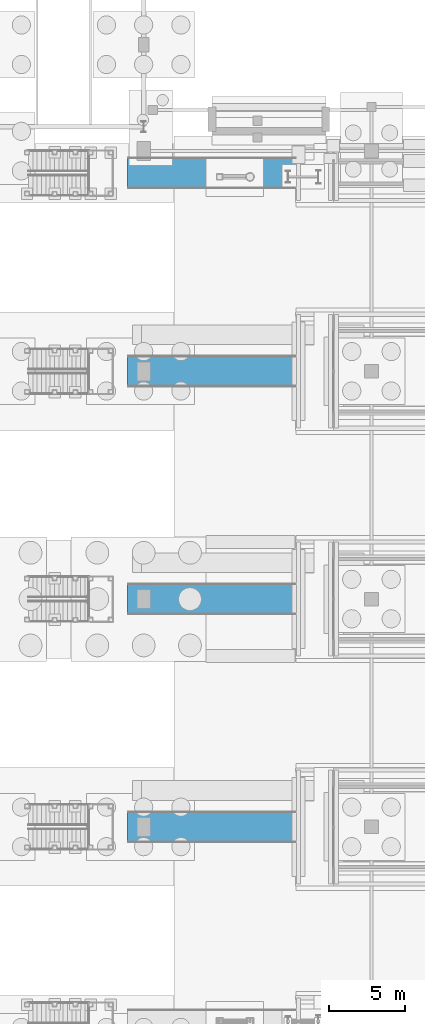
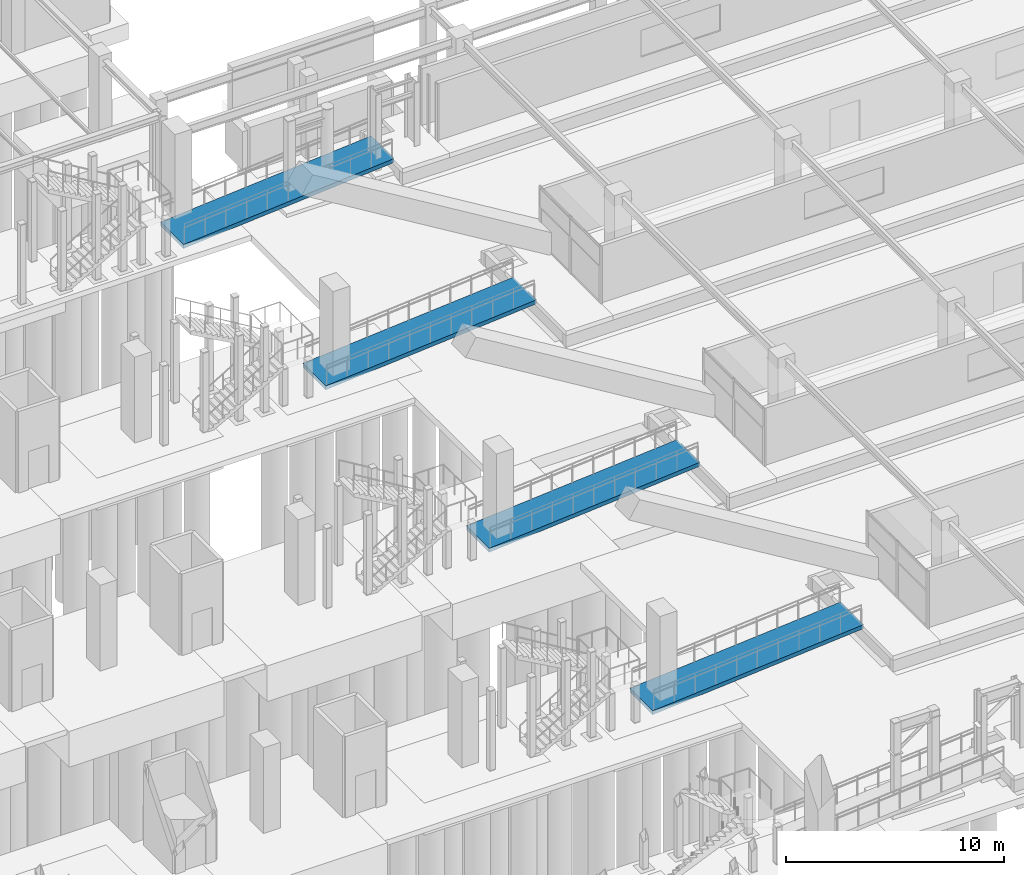
# One storey, part 116 of 160: 4 ramp flights, 4 elements without a shape of their own.
"""IFC4 building model written with IfcOpenShell, lengths in metres."""

from ifc_helpers import new_model, si_unit, direction, frame, origin, place, context, subcontext, project, spatial, polyline, outline, extrude, material, layer, layer_set, type_object, element, aggregate, save


model = new_model("IFC4")

# Units and contexts
model_context = context("Model", 3, precision=1e-05, world=origin(), true_north=direction((0.0, 1.0)))
body_context = subcontext(model_context, "Body", "Model", "MODEL_VIEW")
ifc_project = project(units=[si_unit("LENGTHUNIT", "METRE"), si_unit("AREAUNIT", "SQUARE_METRE"), si_unit("VOLUMEUNIT", "CUBIC_METRE"), si_unit("PLANEANGLEUNIT", "RADIAN"), si_unit("MASSUNIT", "GRAM", prefix="KILO")], contexts=[model_context])

# Site, building, storey
site_placement = place(None, origin())
site = spatial("IfcSite", under=ifc_project, at=site_placement, CompositionType="ELEMENT")
building_placement = place(site_placement, origin())
building = spatial("IfcBuilding", under=site, at=building_placement, Name="Marlcrest Central Station", CompositionType="ELEMENT")
storey_placement = place(building_placement, origin())
storey = spatial("IfcBuildingStorey", under=building, at=storey_placement, Name="L00", CompositionType="ELEMENT", Elevation=0.0)

# Ramp, ramp flight
ifc_material = material(Name="Concrete C35/45", Category="concrete")
ramp_type = type_object("IfcRampType", Name="RP-01", PredefinedType="STRAIGHT_RUN_RAMP", material=ifc_material)
ramp_1_placement = place(storey_placement, origin())
ramp_1 = element("IfcRamp", 1, at=ramp_1_placement, inside=storey, type_object=ramp_type, Name="RMP-P2E", PredefinedType="STRAIGHT_RUN_RAMP")
ifc_layer = layer(ifc_material, 0.219970703125, Name="RF-01")
ifc_layer_set = layer_set([ifc_layer], Name="Concrete C35/45")
ramp_flight_type = type_object("IfcRampFlightType", Name="RF-01", PredefinedType="STRAIGHT", material=ifc_layer_set)
ramp_flight_1_placement = place(storey_placement, frame((127.919921875, 51.0, 0.0), z_axis=(0.0, 0.0, 1.0), x_axis=(1.0, 0.0, 0.0)))
ramp_flight_1 = element("IfcRampFlight", 2, at=ramp_flight_1_placement, type_object=ramp_flight_type, Name="RMP-P2E-F1", PredefinedType="STRAIGHT", context=body_context, shape_type="SweptSolid", body=[
    extrude(outline(polyline([(0.0, -0.219970703125), (0.0, 0.0), (11.159912109375, 0.9150390625), (11.159912109375, 0.695068359375), (0.0, -0.219970703125)])), frame((0.0, 1.050048828125, 0.0), z_axis=(0.0, -1.0, 0.0), x_axis=(1.0, 0.0, 0.0)), (0.0, 0.0, 1.0), 2.10009765625),
])
aggregate(ramp_1, [ramp_flight_1])

ramp_2_placement = place(storey_placement, origin())
ramp_2 = element("IfcRamp", 3, at=ramp_2_placement, inside=storey, type_object=ramp_type, Name="RMP-P3E", PredefinedType="STRAIGHT_RUN_RAMP")
ramp_flight_2_placement = place(storey_placement, frame((127.919921875, 66.0, 0.0), z_axis=(0.0, 0.0, 1.0), x_axis=(1.0, 0.0, 0.0)))
ramp_flight_2 = element("IfcRampFlight", 4, at=ramp_flight_2_placement, type_object=ramp_flight_type, Name="RMP-P3E-F1", PredefinedType="STRAIGHT", context=body_context, shape_type="SweptSolid", body=[
    extrude(outline(polyline([(0.0, -0.219970703125), (0.0, 0.0), (11.159912109375, 0.9150390625), (11.159912109375, 0.695068359375), (0.0, -0.219970703125)])), frame((0.0, 1.050048828125, 0.0), z_axis=(0.0, -1.0, 0.0), x_axis=(1.0, 0.0, 0.0)), (0.0, 0.0, 1.0), 2.10009765625),
])
aggregate(ramp_2, [ramp_flight_2])

ramp_3_placement = place(storey_placement, origin())
ramp_3 = element("IfcRamp", 5, at=ramp_3_placement, inside=storey, type_object=ramp_type, Name="RMP-P4E", PredefinedType="STRAIGHT_RUN_RAMP")
ramp_flight_3_placement = place(storey_placement, frame((127.919921875, 81.0, 0.0), z_axis=(0.0, 0.0, 1.0), x_axis=(1.0, 0.0, 0.0)))
ramp_flight_3 = element("IfcRampFlight", 6, at=ramp_flight_3_placement, type_object=ramp_flight_type, Name="RMP-P4E-F1", PredefinedType="STRAIGHT", context=body_context, shape_type="SweptSolid", body=[
    extrude(outline(polyline([(0.0, -0.219970703125), (0.0, 0.0), (11.159912109375, 0.9150390625), (11.159912109375, 0.695068359375), (0.0, -0.219970703125)])), frame((0.0, 1.050048828125, 0.0), z_axis=(0.0, -1.0, 0.0), x_axis=(1.0, 0.0, 0.0)), (0.0, 0.0, 1.0), 2.10009765625),
])
aggregate(ramp_3, [ramp_flight_3])

ramp_4_placement = place(storey_placement, origin())
ramp_4 = element("IfcRamp", 7, at=ramp_4_placement, inside=storey, type_object=ramp_type, Name="RMP-P5E", PredefinedType="STRAIGHT_RUN_RAMP")
ramp_flight_4_placement = place(storey_placement, frame((127.919921875, 94.050048828125, 0.0), z_axis=(0.0, 0.0, 1.0), x_axis=(1.0, 0.0, 0.0)))
ramp_flight_4 = element("IfcRampFlight", 8, at=ramp_flight_4_placement, type_object=ramp_flight_type, Name="RMP-P5E-F1", PredefinedType="STRAIGHT", context=body_context, shape_type="SweptSolid", body=[
    extrude(outline(polyline([(0.0, -0.219970703125), (0.0, 0.0), (11.159912109375, 0.9150390625), (11.159912109375, 0.695068359375), (0.0, -0.219970703125)])), frame((0.0, 1.050048828125, 0.0), z_axis=(0.0, -1.0, 0.0), x_axis=(1.0, 0.0, 0.0)), (0.0, 0.0, 1.0), 2.10009765625),
])
aggregate(ramp_4, [ramp_flight_4])

save(model, "model.ifc")
